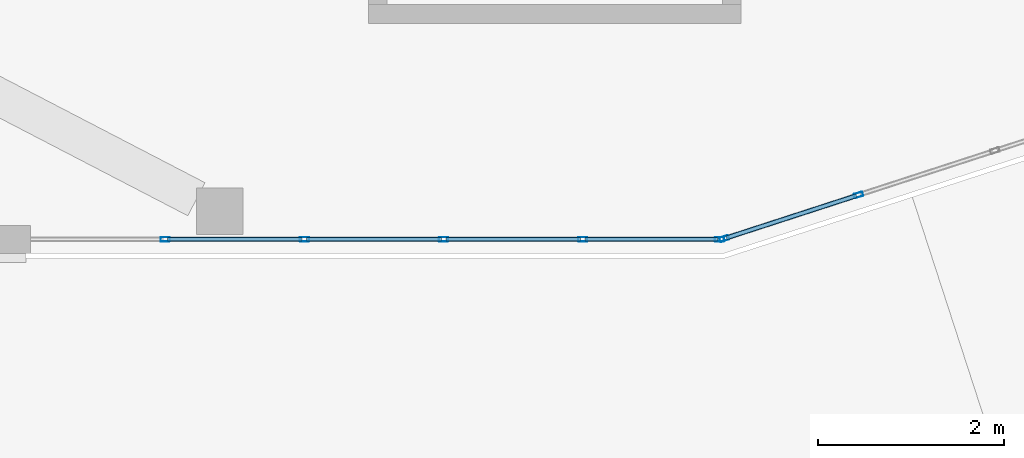
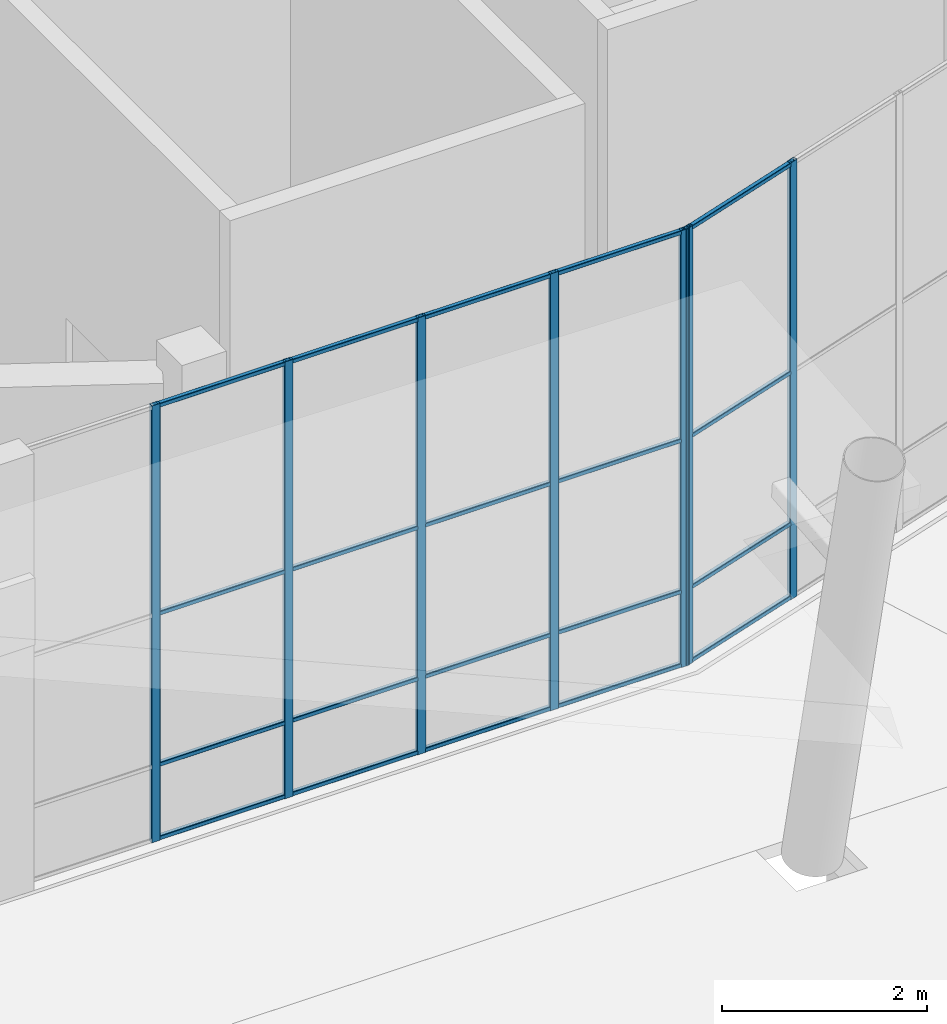
# One storey, part 12 of 72: 27 members, 2 elements without a shape of their own.
"""IFC4 building model written with IfcOpenShell, lengths in metres."""

from ifc_helpers import new_model, si_unit, direction, frame, origin, origin_2d, place, context, subcontext, project, spatial, hollow_rectangle, extrude, material, layer, layer_set, material_profile, profile_set, type_object, element, aggregate, save


model = new_model("IFC4")

# Units and contexts
model_context = context("Model", 3, precision=1e-05, world=origin(), true_north=direction((0.0, 1.0)))
body_context = subcontext(model_context, "Body", "Model", "MODEL_VIEW")
ifc_project = project(units=[si_unit("LENGTHUNIT", "METRE"), si_unit("AREAUNIT", "SQUARE_METRE"), si_unit("VOLUMEUNIT", "CUBIC_METRE"), si_unit("PLANEANGLEUNIT", "RADIAN"), si_unit("MASSUNIT", "GRAM", prefix="KILO")], contexts=[model_context])

# Site, building, storey
site_placement = place(None, origin())
site = spatial("IfcSite", under=ifc_project, at=site_placement, CompositionType="ELEMENT")
building_placement = place(site_placement, origin())
building = spatial("IfcBuilding", under=site, at=building_placement, Name="Tuart Plaza Theatre", CompositionType="ELEMENT")
storey_placement = place(building_placement, origin())
storey = spatial("IfcBuildingStorey", under=building, at=storey_placement, Name="L00", CompositionType="ELEMENT", Elevation=0.0)

# Curtain wall, members
ifc_material_1 = material(Name="Aluminium and glass", Category="aluminium")
ifc_layer = layer(ifc_material_1, 0.10009765625)
ifc_layer_set = layer_set([ifc_layer], Name="CURTAIN WALL 1500 module")
curtain_wall_type = type_object("IfcCurtainWallType", Name="CURTAIN WALL 1500 module", PredefinedType="NOTDEFINED", material=ifc_layer_set)
curtain_wall_1_placement = place(storey_placement, origin())
curtain_wall_1 = element("IfcCurtainWall", 1, at=curtain_wall_1_placement, inside=storey, type_object=curtain_wall_type, Name="CW6", PredefinedType="NOTDEFINED")
ifc_material_2 = material(Name="Aluminium 6063-T5", Category="aluminium")
ifc_material_profile_1 = material_profile(ifc_material_2, hollow_rectangle(XDim=0.050048828125, YDim=0.10009765625, WallThickness=0.00390625, InnerFilletRadius=0.00390625, OuterFilletRadius=0.008056640625, at=origin_2d()), Name="RHS 100x50x4")
ifc_profile_set_1 = profile_set([ifc_material_profile_1], Name="Aluminium 6063-T5")
member_type_1 = type_object("IfcMemberType", Name="MULLION RHS 100x50x4", PredefinedType="MULLION", material=ifc_profile_set_1)
member_1_placement = place(storey_placement, frame((99.615234375, 41.47900390625, 0.0), z_axis=(0.0, 0.0, 1.0), x_axis=(0.0, 1.0, 0.0)))
member_1 = element("IfcMember", 2, at=member_1_placement, type_object=member_type_1, Name="CW6 mullion 2", PredefinedType="MULLION", context=body_context, shape_type="SweptSolid", body=[
    extrude(hollow_rectangle(XDim=0.050048828125, YDim=0.10009765625, WallThickness=0.00390625, InnerFilletRadius=0.00390625, OuterFilletRadius=0.008056640625, at=origin_2d()), origin(), (0.0, 0.0, 1.0), 5.199951171875),
])
member_2_placement = place(storey_placement, frame((101.110595703125, 41.47900390625, 0.0), z_axis=(0.0, 0.0, 1.0), x_axis=(0.0, 1.0, 0.0)))
member_2 = element("IfcMember", 3, at=member_2_placement, type_object=member_type_1, Name="CW6 mullion 3", PredefinedType="MULLION", context=body_context, shape_type="SweptSolid", body=[
    extrude(hollow_rectangle(XDim=0.050048828125, YDim=0.10009765625, WallThickness=0.00390625, InnerFilletRadius=0.00390625, OuterFilletRadius=0.008056640625, at=origin_2d()), origin(), (0.0, 0.0, 1.0), 5.199951171875),
])
member_3_placement = place(storey_placement, frame((102.605712890625, 41.47900390625, 0.0), z_axis=(0.0, 0.0, 1.0), x_axis=(0.0, 1.0, 0.0)))
member_3 = element("IfcMember", 4, at=member_3_placement, type_object=member_type_1, Name="CW6 mullion 4", PredefinedType="MULLION", context=body_context, shape_type="SweptSolid", body=[
    extrude(hollow_rectangle(XDim=0.050048828125, YDim=0.10009765625, WallThickness=0.00390625, InnerFilletRadius=0.00390625, OuterFilletRadius=0.008056640625, at=origin_2d()), origin(), (0.0, 0.0, 1.0), 5.199951171875),
])
member_4_placement = place(storey_placement, frame((104.10107421875, 41.47900390625, 0.0), z_axis=(0.0, 0.0, 1.0), x_axis=(0.0, 1.0, 0.0)))
member_4 = element("IfcMember", 5, at=member_4_placement, type_object=member_type_1, Name="CW6 mullion 5", PredefinedType="MULLION", context=body_context, shape_type="SweptSolid", body=[
    extrude(hollow_rectangle(XDim=0.050048828125, YDim=0.10009765625, WallThickness=0.00390625, InnerFilletRadius=0.00390625, OuterFilletRadius=0.008056640625, at=origin_2d()), origin(), (0.0, 0.0, 1.0), 5.199951171875),
])
member_5_placement = place(storey_placement, frame((105.5712890625, 41.47900390625, 0.0), z_axis=(0.0, 0.0, 1.0), x_axis=(0.0, 1.0, 0.0)))
member_5 = element("IfcMember", 6, at=member_5_placement, type_object=member_type_1, Name="CW6 mullion 6", PredefinedType="MULLION", context=body_context, shape_type="SweptSolid", body=[
    extrude(hollow_rectangle(XDim=0.050048828125, YDim=0.10009765625, WallThickness=0.00390625, InnerFilletRadius=0.00390625, OuterFilletRadius=0.008056640625, at=origin_2d()), origin(), (0.0, 0.0, 1.0), 5.199951171875),
])

curtain_wall_2_placement = place(storey_placement, origin())
curtain_wall_2 = element("IfcCurtainWall", 7, at=curtain_wall_2_placement, inside=storey, type_object=curtain_wall_type, Name="CW7", PredefinedType="NOTDEFINED")
member_6_placement = place(storey_placement, frame((105.6201171875, 41.48681640625, 0.0), z_axis=(0.0, 0.0, 1.0), x_axis=(-0.308885075459, 0.951099369235, 0.0)))
member_6 = element("IfcMember", 8, at=member_6_placement, type_object=member_type_1, Name="CW7 mullion 1", PredefinedType="MULLION", context=body_context, shape_type="SweptSolid", body=[
    extrude(hollow_rectangle(XDim=0.050048828125, YDim=0.10009765625, WallThickness=0.00390625, InnerFilletRadius=0.00390625, OuterFilletRadius=0.008056640625, at=origin_2d()), origin(), (0.0, 0.0, 1.0), 5.199951171875),
])
member_7_placement = place(storey_placement, frame((107.06298828125, 41.955322265625, 0.0), z_axis=(0.0, 0.0, 1.0), x_axis=(-0.308885075459, 0.951099369235, 0.0)))
member_7 = element("IfcMember", 9, at=member_7_placement, type_object=member_type_1, Name="CW7 mullion 2", PredefinedType="MULLION", context=body_context, shape_type="SweptSolid", body=[
    extrude(hollow_rectangle(XDim=0.050048828125, YDim=0.10009765625, WallThickness=0.00390625, InnerFilletRadius=0.00390625, OuterFilletRadius=0.008056640625, at=origin_2d()), origin(), (0.0, 0.0, 1.0), 5.199951171875),
])

# Member
ifc_material_3 = material(Name="Aluminium 6063-T5", Category="aluminium")
ifc_material_profile_2 = material_profile(ifc_material_3, hollow_rectangle(XDim=0.050048828125, YDim=0.050048828125, WallThickness=0.00390625, InnerFilletRadius=0.00390625, OuterFilletRadius=0.008056640625, at=origin_2d()), Name="RHS 50x50x4")
ifc_profile_set_2 = profile_set([ifc_material_profile_2], Name="Aluminium 6063-T5")
member_type_2 = type_object("IfcMemberType", Name="TRANSOM RHS 50x50x4", PredefinedType="USERDEFINED", material=ifc_profile_set_2)
member_8_placement = place(storey_placement, frame((99.64013671875, 41.47900390625, 0.02490234375), z_axis=(1.0, 0.0, 0.0), x_axis=(0.0, 1.0, 0.0)))
member_8 = element("IfcMember", 10, at=member_8_placement, type_object=member_type_2, Name="CW6 transom 2.1", ObjectType="TRANSOM", PredefinedType="USERDEFINED", context=body_context, shape_type="SweptSolid", body=[
    extrude(hollow_rectangle(XDim=0.050048828125, YDim=0.050048828125, WallThickness=0.00390625, InnerFilletRadius=0.00390625, OuterFilletRadius=0.008056640625, at=origin_2d()), origin(), (0.0, 0.0, 1.0), 1.4453125),
])

member_9_placement = place(storey_placement, frame((99.64013671875, 41.47900390625, 0.89990234375), z_axis=(1.0, 0.0, 0.0), x_axis=(0.0, 1.0, 0.0)))
member_9 = element("IfcMember", 11, at=member_9_placement, type_object=member_type_2, Name="CW6 transom 2.2", ObjectType="TRANSOM", PredefinedType="USERDEFINED", context=body_context, shape_type="SweptSolid", body=[
    extrude(hollow_rectangle(XDim=0.050048828125, YDim=0.050048828125, WallThickness=0.00390625, InnerFilletRadius=0.00390625, OuterFilletRadius=0.008056640625, at=origin_2d()), origin(), (0.0, 0.0, 1.0), 1.4453125),
])

member_10_placement = place(storey_placement, frame((99.64013671875, 41.47900390625, 2.699951171875), z_axis=(1.0, 0.0, 0.0), x_axis=(0.0, 1.0, 0.0)))
member_10 = element("IfcMember", 12, at=member_10_placement, type_object=member_type_2, Name="CW6 transom 2.3", ObjectType="TRANSOM", PredefinedType="USERDEFINED", context=body_context, shape_type="SweptSolid", body=[
    extrude(hollow_rectangle(XDim=0.050048828125, YDim=0.050048828125, WallThickness=0.00390625, InnerFilletRadius=0.00390625, OuterFilletRadius=0.008056640625, at=origin_2d()), origin(), (0.0, 0.0, 1.0), 1.4453125),
])

member_11_placement = place(storey_placement, frame((99.64013671875, 41.47900390625, 5.175048828125), z_axis=(1.0, 0.0, 0.0), x_axis=(0.0, 1.0, 0.0)))
member_11 = element("IfcMember", 13, at=member_11_placement, type_object=member_type_2, Name="CW6 transom 2.4", ObjectType="TRANSOM", PredefinedType="USERDEFINED", context=body_context, shape_type="SweptSolid", body=[
    extrude(hollow_rectangle(XDim=0.050048828125, YDim=0.050048828125, WallThickness=0.00390625, InnerFilletRadius=0.00390625, OuterFilletRadius=0.008056640625, at=origin_2d()), origin(), (0.0, 0.0, 1.0), 1.4453125),
])

member_12_placement = place(storey_placement, frame((101.135498046875, 41.47900390625, 0.02490234375), z_axis=(1.0, 0.0, 0.0), x_axis=(0.0, 1.0, 0.0)))
member_12 = element("IfcMember", 14, at=member_12_placement, type_object=member_type_2, Name="CW6 transom 3.1", ObjectType="TRANSOM", PredefinedType="USERDEFINED", context=body_context, shape_type="SweptSolid", body=[
    extrude(hollow_rectangle(XDim=0.050048828125, YDim=0.050048828125, WallThickness=0.00390625, InnerFilletRadius=0.00390625, OuterFilletRadius=0.008056640625, at=origin_2d()), origin(), (0.0, 0.0, 1.0), 1.4453125),
])

member_13_placement = place(storey_placement, frame((101.135498046875, 41.47900390625, 0.89990234375), z_axis=(1.0, 0.0, 0.0), x_axis=(0.0, 1.0, 0.0)))
member_13 = element("IfcMember", 15, at=member_13_placement, type_object=member_type_2, Name="CW6 transom 3.2", ObjectType="TRANSOM", PredefinedType="USERDEFINED", context=body_context, shape_type="SweptSolid", body=[
    extrude(hollow_rectangle(XDim=0.050048828125, YDim=0.050048828125, WallThickness=0.00390625, InnerFilletRadius=0.00390625, OuterFilletRadius=0.008056640625, at=origin_2d()), origin(), (0.0, 0.0, 1.0), 1.4453125),
])

member_14_placement = place(storey_placement, frame((101.135498046875, 41.47900390625, 2.699951171875), z_axis=(1.0, 0.0, 0.0), x_axis=(0.0, 1.0, 0.0)))
member_14 = element("IfcMember", 16, at=member_14_placement, type_object=member_type_2, Name="CW6 transom 3.3", ObjectType="TRANSOM", PredefinedType="USERDEFINED", context=body_context, shape_type="SweptSolid", body=[
    extrude(hollow_rectangle(XDim=0.050048828125, YDim=0.050048828125, WallThickness=0.00390625, InnerFilletRadius=0.00390625, OuterFilletRadius=0.008056640625, at=origin_2d()), origin(), (0.0, 0.0, 1.0), 1.4453125),
])

member_15_placement = place(storey_placement, frame((101.135498046875, 41.47900390625, 5.175048828125), z_axis=(1.0, 0.0, 0.0), x_axis=(0.0, 1.0, 0.0)))
member_15 = element("IfcMember", 17, at=member_15_placement, type_object=member_type_2, Name="CW6 transom 3.4", ObjectType="TRANSOM", PredefinedType="USERDEFINED", context=body_context, shape_type="SweptSolid", body=[
    extrude(hollow_rectangle(XDim=0.050048828125, YDim=0.050048828125, WallThickness=0.00390625, InnerFilletRadius=0.00390625, OuterFilletRadius=0.008056640625, at=origin_2d()), origin(), (0.0, 0.0, 1.0), 1.4453125),
])

member_16_placement = place(storey_placement, frame((102.630859375, 41.47900390625, 0.02490234375), z_axis=(1.0, 0.0, 0.0), x_axis=(0.0, 1.0, 0.0)))
member_16 = element("IfcMember", 18, at=member_16_placement, type_object=member_type_2, Name="CW6 transom 4.1", ObjectType="TRANSOM", PredefinedType="USERDEFINED", context=body_context, shape_type="SweptSolid", body=[
    extrude(hollow_rectangle(XDim=0.050048828125, YDim=0.050048828125, WallThickness=0.00390625, InnerFilletRadius=0.00390625, OuterFilletRadius=0.008056640625, at=origin_2d()), origin(), (0.0, 0.0, 1.0), 1.445068359375),
])

member_17_placement = place(storey_placement, frame((102.630859375, 41.47900390625, 0.89990234375), z_axis=(1.0, 0.0, 0.0), x_axis=(0.0, 1.0, 0.0)))
member_17 = element("IfcMember", 19, at=member_17_placement, type_object=member_type_2, Name="CW6 transom 4.2", ObjectType="TRANSOM", PredefinedType="USERDEFINED", context=body_context, shape_type="SweptSolid", body=[
    extrude(hollow_rectangle(XDim=0.050048828125, YDim=0.050048828125, WallThickness=0.00390625, InnerFilletRadius=0.00390625, OuterFilletRadius=0.008056640625, at=origin_2d()), origin(), (0.0, 0.0, 1.0), 1.445068359375),
])

member_18_placement = place(storey_placement, frame((102.630859375, 41.47900390625, 2.699951171875), z_axis=(1.0, 0.0, 0.0), x_axis=(0.0, 1.0, 0.0)))
member_18 = element("IfcMember", 20, at=member_18_placement, type_object=member_type_2, Name="CW6 transom 4.3", ObjectType="TRANSOM", PredefinedType="USERDEFINED", context=body_context, shape_type="SweptSolid", body=[
    extrude(hollow_rectangle(XDim=0.050048828125, YDim=0.050048828125, WallThickness=0.00390625, InnerFilletRadius=0.00390625, OuterFilletRadius=0.008056640625, at=origin_2d()), origin(), (0.0, 0.0, 1.0), 1.445068359375),
])

member_19_placement = place(storey_placement, frame((102.630859375, 41.47900390625, 5.175048828125), z_axis=(1.0, 0.0, 0.0), x_axis=(0.0, 1.0, 0.0)))
member_19 = element("IfcMember", 21, at=member_19_placement, type_object=member_type_2, Name="CW6 transom 4.4", ObjectType="TRANSOM", PredefinedType="USERDEFINED", context=body_context, shape_type="SweptSolid", body=[
    extrude(hollow_rectangle(XDim=0.050048828125, YDim=0.050048828125, WallThickness=0.00390625, InnerFilletRadius=0.00390625, OuterFilletRadius=0.008056640625, at=origin_2d()), origin(), (0.0, 0.0, 1.0), 1.445068359375),
])

member_20_placement = place(storey_placement, frame((104.1259765625, 41.47900390625, 0.02490234375), z_axis=(1.0, 0.0, 0.0), x_axis=(0.0, 1.0, 0.0)))
member_20 = element("IfcMember", 22, at=member_20_placement, type_object=member_type_2, Name="CW6 transom 5.1", ObjectType="TRANSOM", PredefinedType="USERDEFINED", context=body_context, shape_type="SweptSolid", body=[
    extrude(hollow_rectangle(XDim=0.050048828125, YDim=0.050048828125, WallThickness=0.00390625, InnerFilletRadius=0.00390625, OuterFilletRadius=0.008056640625, at=origin_2d()), origin(), (0.0, 0.0, 1.0), 1.420166015625),
])

member_21_placement = place(storey_placement, frame((104.1259765625, 41.47900390625, 0.89990234375), z_axis=(1.0, 0.0, 0.0), x_axis=(0.0, 1.0, 0.0)))
member_21 = element("IfcMember", 23, at=member_21_placement, type_object=member_type_2, Name="CW6 transom 5.2", ObjectType="TRANSOM", PredefinedType="USERDEFINED", context=body_context, shape_type="SweptSolid", body=[
    extrude(hollow_rectangle(XDim=0.050048828125, YDim=0.050048828125, WallThickness=0.00390625, InnerFilletRadius=0.00390625, OuterFilletRadius=0.008056640625, at=origin_2d()), origin(), (0.0, 0.0, 1.0), 1.420166015625),
])

member_22_placement = place(storey_placement, frame((104.1259765625, 41.47900390625, 2.699951171875), z_axis=(1.0, 0.0, 0.0), x_axis=(0.0, 1.0, 0.0)))
member_22 = element("IfcMember", 24, at=member_22_placement, type_object=member_type_2, Name="CW6 transom 5.3", ObjectType="TRANSOM", PredefinedType="USERDEFINED", context=body_context, shape_type="SweptSolid", body=[
    extrude(hollow_rectangle(XDim=0.050048828125, YDim=0.050048828125, WallThickness=0.00390625, InnerFilletRadius=0.00390625, OuterFilletRadius=0.008056640625, at=origin_2d()), origin(), (0.0, 0.0, 1.0), 1.420166015625),
])

member_23_placement = place(storey_placement, frame((104.1259765625, 41.47900390625, 5.175048828125), z_axis=(1.0, 0.0, 0.0), x_axis=(0.0, 1.0, 0.0)))
member_23 = element("IfcMember", 25, at=member_23_placement, type_object=member_type_2, Name="CW6 transom 5.4", ObjectType="TRANSOM", PredefinedType="USERDEFINED", context=body_context, shape_type="SweptSolid", body=[
    extrude(hollow_rectangle(XDim=0.050048828125, YDim=0.050048828125, WallThickness=0.00390625, InnerFilletRadius=0.00390625, OuterFilletRadius=0.008056640625, at=origin_2d()), origin(), (0.0, 0.0, 1.0), 1.420166015625),
])

aggregate(curtain_wall_1, [member_1, member_2, member_3, member_4, member_5, member_8, member_9, member_10, member_11, member_12, member_13, member_14, member_15, member_16, member_17, member_18, member_19, member_20, member_21, member_22, member_23])

member_24_placement = place(storey_placement, frame((105.643798828125, 41.494384765625, 0.02490234375), z_axis=(0.951101311149, 0.308879095974, 0.0), x_axis=(-0.308879095974, 0.951101311149, 0.0)))
member_24 = element("IfcMember", 26, at=member_24_placement, type_object=member_type_2, Name="CW7 transom 1.1", ObjectType="TRANSOM", PredefinedType="USERDEFINED", context=body_context, shape_type="SweptSolid", body=[
    extrude(hollow_rectangle(XDim=0.050048828125, YDim=0.050048828125, WallThickness=0.00390625, InnerFilletRadius=0.00390625, OuterFilletRadius=0.008056640625, at=origin_2d()), origin(), (0.0, 0.0, 1.0), 1.467041015625),
])

member_25_placement = place(storey_placement, frame((105.643798828125, 41.494384765625, 0.89990234375), z_axis=(0.951101311149, 0.308879095974, 0.0), x_axis=(-0.308879095974, 0.951101311149, 0.0)))
member_25 = element("IfcMember", 27, at=member_25_placement, type_object=member_type_2, Name="CW7 transom 1.2", ObjectType="TRANSOM", PredefinedType="USERDEFINED", context=body_context, shape_type="SweptSolid", body=[
    extrude(hollow_rectangle(XDim=0.050048828125, YDim=0.050048828125, WallThickness=0.00390625, InnerFilletRadius=0.00390625, OuterFilletRadius=0.008056640625, at=origin_2d()), origin(), (0.0, 0.0, 1.0), 1.467041015625),
])

member_26_placement = place(storey_placement, frame((105.643798828125, 41.494384765625, 2.699951171875), z_axis=(0.951101311149, 0.308879095974, 0.0), x_axis=(-0.308879095974, 0.951101311149, 0.0)))
member_26 = element("IfcMember", 28, at=member_26_placement, type_object=member_type_2, Name="CW7 transom 1.3", ObjectType="TRANSOM", PredefinedType="USERDEFINED", context=body_context, shape_type="SweptSolid", body=[
    extrude(hollow_rectangle(XDim=0.050048828125, YDim=0.050048828125, WallThickness=0.00390625, InnerFilletRadius=0.00390625, OuterFilletRadius=0.008056640625, at=origin_2d()), origin(), (0.0, 0.0, 1.0), 1.467041015625),
])

member_27_placement = place(storey_placement, frame((105.643798828125, 41.494384765625, 5.175048828125), z_axis=(0.951101311149, 0.308879095974, 0.0), x_axis=(-0.308879095974, 0.951101311149, 0.0)))
member_27 = element("IfcMember", 29, at=member_27_placement, type_object=member_type_2, Name="CW7 transom 1.4", ObjectType="TRANSOM", PredefinedType="USERDEFINED", context=body_context, shape_type="SweptSolid", body=[
    extrude(hollow_rectangle(XDim=0.050048828125, YDim=0.050048828125, WallThickness=0.00390625, InnerFilletRadius=0.00390625, OuterFilletRadius=0.008056640625, at=origin_2d()), origin(), (0.0, 0.0, 1.0), 1.467041015625),
])

aggregate(curtain_wall_2, [member_6, member_7, member_24, member_25, member_26, member_27])

save(model, "model.ifc")
